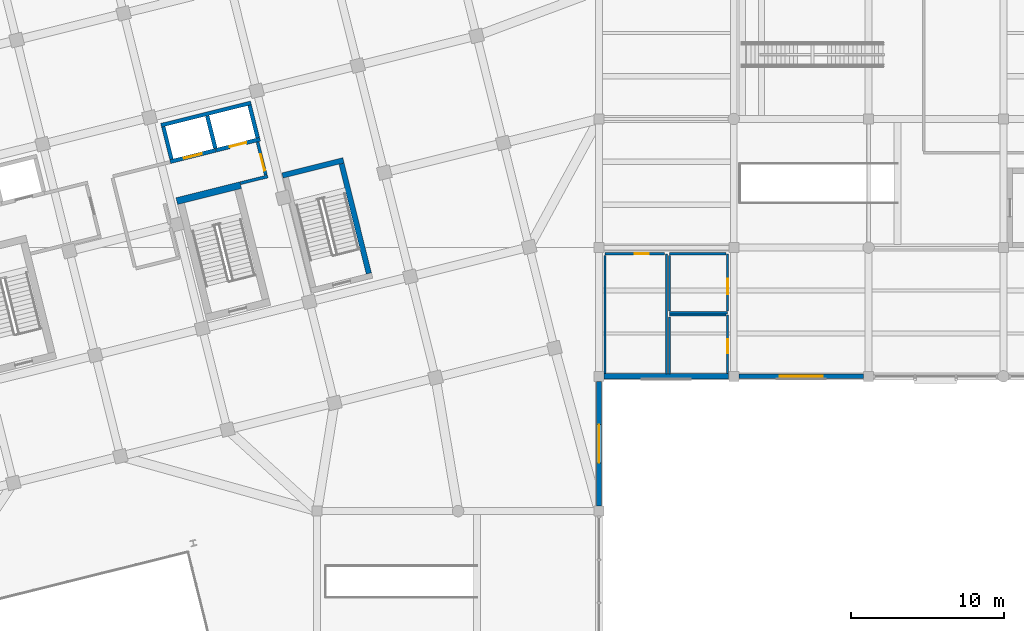
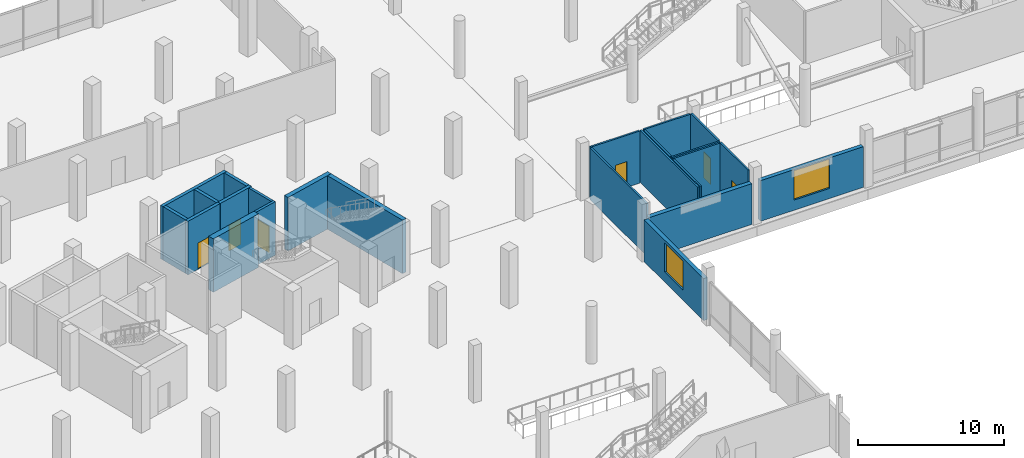
# One storey, part 59 of 71: 24 walls, 6 doors, 2 windows, 8 openings.
"""IFC4 building model written with IfcOpenShell, lengths in metres."""

from ifc_helpers import new_model, si_unit, direction, frame, frame_2d, origin, place, context, subcontext, project, spatial, rectangle, extrude, material, layer, layer_set, type_object, element, fill, save


model = new_model("IFC4")

# Units and contexts
model_context = context("Model", 3, precision=1e-05, world=origin(), true_north=direction((0.0, 1.0)))
body_context = subcontext(model_context, "Body", "Model", "MODEL_VIEW")
ifc_project = project(units=[si_unit("LENGTHUNIT", "METRE"), si_unit("AREAUNIT", "SQUARE_METRE"), si_unit("VOLUMEUNIT", "CUBIC_METRE"), si_unit("PLANEANGLEUNIT", "RADIAN"), si_unit("MASSUNIT", "GRAM", prefix="KILO")], contexts=[model_context])

# Site, building, storey
site_placement = place(None, origin())
site = spatial("IfcSite", under=ifc_project, at=site_placement, CompositionType="ELEMENT")
building_placement = place(site_placement, origin())
building = spatial("IfcBuilding", under=site, at=building_placement, Name="Meriwether Solvik Hall", CompositionType="ELEMENT")
storey_placement = place(building_placement, frame((0.0, 0.0, 5.10009765625)))
storey = spatial("IfcBuildingStorey", under=building, at=storey_placement, Name="L01", CompositionType="ELEMENT", Elevation=5.10009765625)

# Wall, opening, window
ifc_material_1 = material(Name="Concrete C40/50 Precast", Category="concrete")
ifc_layer_1 = layer(ifc_material_1, 0.31494140625)
ifc_layer_set_1 = layer_set([ifc_layer_1], Name="Concrete C40/50 Precast")
wall_type_1 = type_object("IfcWallType", Name="WALL-EXT-315", PredefinedType="SOLIDWALL", material=ifc_layer_set_1)
wall_1_placement = place(storey_placement, frame((131.462890625, 50.0, 0.0), z_axis=(0.0, 0.0, 1.0), x_axis=(-1.0, 0.0, 0.0)))
wall_1 = element("IfcWall", 1, at=wall_1_placement, inside=storey, type_object=wall_type_1, Name="L01 S Wing Facade Wall XF_14_13", PredefinedType="SOLIDWALL", context=body_context, shape_type="SweptSolid", body=[
    extrude(rectangle(XDim=8.1259765625, YDim=0.31494140625, at=frame_2d((4.06298828125, 0.0))), origin(), (0.0, 0.0, 1.0), 3.39990234375),
])
opening_1_placement = place(wall_1_placement, frame((2.6630859375, 0.0, 0.85009765625)))
opening_1 = element("IfcOpeningElement", 2, at=opening_1_placement, cuts=wall_1, Name="Opening WN-165", PredefinedType="OPENING", context=body_context, shape_type="SweptSolid", body=[
    extrude(rectangle(XDim=2.800048828125, YDim=2.449951171875, at=frame_2d((1.39990234375, 1.22509765625))), frame((0.0, 0.16943359375, 0.0), z_axis=(0.0, -1.0, 0.0), x_axis=(1.0, 0.0, 0.0)), (0.0, 0.0, 1.0), 0.3388671875),
])
ifc_material_2 = material(Name="Thermally Broken Anodised Aluminium and Triple Low-E Glass", Category="aluminium")
window_type_1 = type_object("IfcWindowType", Name="WIN-POD-SOUTH-280X245", PartitioningType="SINGLE_PANEL", PredefinedType="WINDOW", material=ifc_material_2)
window_1_placement = place(opening_1_placement, origin())
window_1 = element("IfcWindow", 3, at=window_1_placement, inside=storey, type_object=window_type_1, Name="L01 S Window XF_14_13", OverallHeight=2.449951171875, OverallWidth=2.800048828125, PartitioningType="SINGLE_PANEL", PredefinedType="WINDOW", context=body_context, shape_type="SweptSolid", body=[
    extrude(rectangle(XDim=2.800048828125, YDim=2.449951171875, at=frame_2d((1.39990234375, 1.22509765625))), frame((0.0, 0.030029296875, 0.0), z_axis=(0.0, -1.0, 0.0), x_axis=(1.0, 0.0, 0.0)), (0.0, 0.0, 1.0), 0.06005859375),
])
fill(opening_1, window_1)

wall_2_placement = place(storey_placement, frame((114.199951171875, 49.6630859375, 0.0), z_axis=(0.0, 0.0, 1.0), x_axis=(0.0, -1.0, 0.0)))
wall_2 = element("IfcWall", 4, at=wall_2_placement, inside=storey, type_object=wall_type_1, Name="L01 E Wing Facade Wall Y13_5_53", PredefinedType="SOLIDWALL", context=body_context, shape_type="SweptSolid", body=[
    extrude(rectangle(XDim=8.1259765625, YDim=0.31494140625, at=frame_2d((4.06298828125, 0.0))), origin(), (0.0, 0.0, 1.0), 3.5),
])
opening_2_placement = place(wall_2_placement, frame((2.81298828125, 0.0, 0.85009765625)))
opening_2 = element("IfcOpeningElement", 5, at=opening_2_placement, cuts=wall_2, Name="Opening WN-144", PredefinedType="OPENING", context=body_context, shape_type="SweptSolid", body=[
    extrude(rectangle(XDim=2.5, YDim=2.39990234375, at=frame_2d((1.25, 1.199951171875))), frame((0.0, 0.16943359375, 0.0), z_axis=(0.0, -1.0, 0.0), x_axis=(1.0, 0.0, 0.0)), (0.0, 0.0, 1.0), 0.3388671875),
])
ifc_material_3 = material(Name="Thermally Broken Anodised Aluminium and Triple Low-E Glass", Category="aluminium")
window_type_2 = type_object("IfcWindowType", Name="WIN-POD-EAST-250X240", PartitioningType="SINGLE_PANEL", PredefinedType="WINDOW", material=ifc_material_3)
window_2_placement = place(opening_2_placement, origin())
window_2 = element("IfcWindow", 6, at=window_2_placement, inside=storey, type_object=window_type_2, Name="L01 E Window Y13_5_53", OverallHeight=2.39990234375, OverallWidth=2.5, PartitioningType="SINGLE_PANEL", PredefinedType="WINDOW", context=body_context, shape_type="SweptSolid", body=[
    extrude(rectangle(XDim=2.5, YDim=2.39990234375, at=frame_2d((1.25, 1.199951171875))), frame((0.0, 0.030029296875, 0.0), z_axis=(0.0, -1.0, 0.0), x_axis=(1.0, 0.0, 0.0)), (0.0, 0.0, 1.0), 0.06005859375),
])
fill(opening_2, window_2)

# Walls
ifc_material_4 = material(Name="Concrete C40/50 Precast", Category="concrete")
ifc_layer_2 = layer(ifc_material_4, 0.340087890625)
ifc_layer_set_2 = layer_set([ifc_layer_2], Name="Concrete C40/50 Precast")
wall_type_2 = type_object("IfcWallType", Name="WALL-EXT-340", PredefinedType="SOLIDWALL", material=ifc_layer_set_2)
wall_3_placement = place(storey_placement, frame((122.6630859375, 50.0, 0.0), z_axis=(0.0, 0.0, 1.0), x_axis=(-1.0, 0.0, 0.0)))
element("IfcWall", 7, at=wall_3_placement, inside=storey, type_object=wall_type_2, Name="L01 S Wing Facade Wall XF_13_12", PredefinedType="SOLIDWALL", context=body_context, shape_type="SweptSolid", body=[
    extrude(rectangle(XDim=8.1259765625, YDim=0.340087890625, at=frame_2d((4.06298828125, 0.0))), origin(), (0.0, 0.0, 1.0), 3.39990234375),
])
ifc_material_5 = material(Name="Fire-Rated Type X Gypsum Board", Category="gypsum")
ifc_layer_3 = layer(ifc_material_5, 0.199951171875)
ifc_layer_set_3 = layer_set([ifc_layer_3], Name="Fire-Rated Type X Gypsum Board")
wall_type_3 = type_object("IfcWallType", Name="WALL-FIRE-200", PredefinedType="STANDARD", material=ifc_layer_set_3)
wall_4_placement = place(storey_placement, frame((90.791015625, 62.604248046875, 0.0), z_axis=(0.0, 0.0, 1.0), x_axis=(0.970306180373, 0.241879962645, 0.0)))
element("IfcWall", 8, at=wall_4_placement, inside=storey, type_object=wall_type_3, Name="L01 Interior Partition lb2_s", PredefinedType="STANDARD", context=body_context, shape_type="SweptSolid", body=[
    extrude(rectangle(XDim=1.840087890625, YDim=0.199951171875, at=frame_2d((0.919921875, 0.0))), origin(), (0.0, 0.0, 1.0), 4.469970703125),
])

# Wall, opening, door
wall_5_placement = place(storey_placement, frame((91.913330078125, 65.295654296875, 0.0), z_axis=(0.0, 0.0, 1.0), x_axis=(0.241836892041, -0.970316916089, 0.0)))
wall_5 = element("IfcWall", 9, at=wall_5_placement, inside=storey, type_object=wall_type_3, Name="L01 Interior Partition lb2_e", PredefinedType="STANDARD", context=body_context, shape_type="SweptSolid", body=[
    extrude(rectangle(XDim=2.219970703125, YDim=0.199951171875, at=frame_2d((1.10986328125, 0.0))), origin(), (0.0, 0.0, 1.0), 4.469970703125),
])
opening_3_placement = place(wall_5_placement, frame((0.820068359375, 0.0, 0.0)))
opening_3 = element("IfcOpeningElement", 10, at=opening_3_placement, cuts=wall_5, Name="Opening D-168", PredefinedType="OPENING", context=body_context, shape_type="SweptSolid", body=[
    extrude(rectangle(XDim=1.10009765625, YDim=2.199951171875, at=frame_2d((0.550048828125, 1.10009765625))), frame((0.0, 0.11181640625, 0.0), z_axis=(0.0, -1.0, 0.0), x_axis=(1.0, 0.0, 0.0)), (0.0, 0.0, 1.0), 0.223876953125),
])
ifc_material_6 = material(Name="Steel A36 Galvanised", Category="steel")
door_type_1 = type_object("IfcDoorType", Name="DR-FD60-1100L", OperationType="SINGLE_SWING_LEFT", PredefinedType="DOOR", material=ifc_material_6)
door_1_placement = place(opening_3_placement, origin())
door_1 = element("IfcDoor", 11, at=door_1_placement, inside=storey, type_object=door_type_1, Name="East FSAE Lift Lobby Door (L01)", OperationType="SINGLE_SWING_LEFT", OverallHeight=2.199951171875, OverallWidth=1.10009765625, PredefinedType="DOOR", context=body_context, shape_type="SweptSolid", body=[
    extrude(rectangle(XDim=1.10009765625, YDim=2.199951171875, at=frame_2d((0.550048828125, 1.10009765625))), frame((0.0, 0.02490234375, 0.0), z_axis=(0.0, -1.0, 0.0), x_axis=(1.0, 0.0, 0.0)), (0.0, 0.0, 1.0), 0.050048828125),
])
fill(opening_3, door_1)

# Walls
ifc_material_7 = material(Name="Concrete C40/50", Category="concrete")
ifc_layer_4 = layer(ifc_material_7, 0.25)
ifc_layer_set_4 = layer_set([ifc_layer_4], Name="Concrete C40/50")
wall_type_4 = type_object("IfcWallType", Name="WALL-HOIST-250", PredefinedType="SHEAR", material=ifc_layer_set_4)
wall_6_placement = place(storey_placement, frame((91.48193359375, 67.852294921875, 0.0), z_axis=(0.0, 0.0, 1.0), x_axis=(-0.970296596103, -0.241918406889, 0.0)))
element("IfcWall", 12, at=wall_6_placement, inside=storey, type_object=wall_type_4, Name="Hoistway BANK2 North Wall (L01)", PredefinedType="SHEAR", context=body_context, shape_type="SweptSolid", body=[
    extrude(rectangle(XDim=6.050048828125, YDim=0.25, at=frame_2d((3.02490234375, 0.0))), origin(), (0.0, 0.0, 1.0), 4.469970703125),
])
for number, where, z_axis, x_axis, name in (
    (13, (85.765625, 66.287841796875, 0.0), (0.0, 0.0, 1.0), (0.241903146974, -0.970300400641, 0.0), "Hoistway BANK2 West Wall (L01)"),
    (14, (91.920654296875, 65.575927734375, 0.0), (0.0, 0.0, 1.0), (-0.241903146974, 0.970300400641, 0.0), "Hoistway BANK2 East Wall (L01)"),
    (15, (89.1552734375, 64.886474609375, 0.0), (0.0, 0.0, 1.0), (-0.241903146974, 0.970300400641, 0.0), "Hoistway BANK2 Divider Pier (L01)"),
):
    element("IfcWall", number, at=place(storey_placement, frame(where, z_axis=z_axis, x_axis=x_axis)), inside=storey, type_object=wall_type_4, Name=name, PredefinedType="SHEAR", context=body_context, shape_type="SweptSolid", body=[
        extrude(rectangle(XDim=2.179931640625, YDim=0.25, at=frame_2d((1.08984375, 0.0))), origin(), (0.0, 0.0, 1.0), 4.469970703125),
    ])

# Wall, opening, door
wall_7_placement = place(storey_placement, frame((86.204345703125, 64.011474609375, 0.0), z_axis=(0.0, 0.0, 1.0), x_axis=(0.970296930481, 0.241917065747, 0.0)))
wall_7 = element("IfcWall", 16, at=wall_7_placement, inside=storey, type_object=wall_type_4, Name="Lift LF-02 Landing Wall (L01)", PredefinedType="SHEAR", context=body_context, shape_type="SweptSolid", body=[
    extrude(rectangle(XDim=3.06494140625, YDim=0.25, at=frame_2d((1.532470703125, 0.0))), origin(), (0.0, 0.0, 1.0), 4.469970703125),
])
opening_4_placement = place(wall_7_placement, frame((0.9326171875, 0.0, 0.0)))
opening_4 = element("IfcOpeningElement", 17, at=opening_4_placement, cuts=wall_7, Name="Opening LD-02", PredefinedType="OPENING", context=body_context, shape_type="SweptSolid", body=[
    extrude(rectangle(XDim=1.199951171875, YDim=2.199951171875, at=frame_2d((0.60009765625, 1.10009765625))), frame((0.0, 0.136962890625, 0.0), z_axis=(0.0, -1.0, 0.0), x_axis=(1.0, 0.0, 0.0)), (0.0, 0.0, 1.0), 0.27392578125),
])
ifc_material_8 = material(Name="Stainless Steel AISI 316", Category="steel")
door_type_2 = type_object("IfcDoorType", Name="DR-LIFT-FSAE", OperationType="DOUBLE_DOOR_SLIDING", PredefinedType="DOOR", material=ifc_material_8)
door_2_placement = place(opening_4_placement, origin())
door_2 = element("IfcDoor", 18, at=door_2_placement, inside=storey, type_object=door_type_2, Name="Lift Landing Door LF-02 (L01)", OperationType="DOUBLE_DOOR_SLIDING", OverallHeight=2.199951171875, OverallWidth=1.199951171875, PredefinedType="DOOR", context=body_context, shape_type="SweptSolid", body=[
    extrude(rectangle(XDim=1.199951171875, YDim=2.199951171875, at=frame_2d((0.60009765625, 1.10009765625))), frame((0.0, 0.02490234375, 0.0), z_axis=(0.0, -1.0, 0.0), x_axis=(1.0, 0.0, 0.0)), (0.0, 0.0, 1.0), 0.050048828125),
])
fill(opening_4, door_2)

wall_8_placement = place(storey_placement, frame((89.19775390625, 64.7578125, 0.0), z_axis=(0.0, 0.0, 1.0), x_axis=(0.970297295425, 0.241915601999, 0.0)))
wall_8 = element("IfcWall", 19, at=wall_8_placement, inside=storey, type_object=wall_type_4, Name="Lift LP-02 Landing Wall (L01)", PredefinedType="SHEAR", context=body_context, shape_type="SweptSolid", body=[
    extrude(rectangle(XDim=2.965087890625, YDim=0.25, at=frame_2d((1.482421875, 0.0))), origin(), (0.0, 0.0, 1.0), 4.469970703125),
])
opening_5_placement = place(wall_8_placement, frame((0.9326171875, 0.0, 0.0)))
opening_5 = element("IfcOpeningElement", 20, at=opening_5_placement, cuts=wall_8, Name="Opening LD-04", PredefinedType="OPENING", context=body_context, shape_type="SweptSolid", body=[
    extrude(rectangle(XDim=1.10009765625, YDim=2.14990234375, at=frame_2d((0.550048828125, 1.074951171875))), frame((0.0, 0.136962890625, 0.0), z_axis=(0.0, -1.0, 0.0), x_axis=(1.0, 0.0, 0.0)), (0.0, 0.0, 1.0), 0.27392578125),
])
ifc_material_9 = material(Name="Stainless Steel AISI 316", Category="steel")
door_type_3 = type_object("IfcDoorType", Name="DR-LIFT-PASS", OperationType="DOUBLE_DOOR_SLIDING", PredefinedType="DOOR", material=ifc_material_9)
door_3_placement = place(opening_5_placement, origin())
door_3 = element("IfcDoor", 21, at=door_3_placement, inside=storey, type_object=door_type_3, Name="Lift Landing Door LP-02 (L01)", OperationType="DOUBLE_DOOR_SLIDING", OverallHeight=2.14990234375, OverallWidth=1.10009765625, PredefinedType="DOOR", context=body_context, shape_type="SweptSolid", body=[
    extrude(rectangle(XDim=1.10009765625, YDim=2.14990234375, at=frame_2d((0.550048828125, 1.074951171875))), frame((0.0, 0.02490234375, 0.0), z_axis=(0.0, -1.0, 0.0), x_axis=(1.0, 0.0, 0.0)), (0.0, 0.0, 1.0), 0.050048828125),
])
fill(opening_5, door_3)

# Walls
ifc_material_10 = material(Name="Concrete C40/50", Category="concrete")
ifc_layer_5 = layer(ifc_material_10, 0.35009765625)
ifc_layer_set_5 = layer_set([ifc_layer_5], Name="Concrete C40/50")
wall_type_5 = type_object("IfcWallType", Name="WALL-RC-350", PredefinedType="SHEAR", material=ifc_layer_set_5)
wall_9_placement = place(storey_placement, frame((97.5185546875, 64.101318359375, 0.0), z_axis=(0.0, 0.0, 1.0), x_axis=(-0.970289442421, -0.241947097371, 0.0)))
element("IfcWall", 22, at=wall_9_placement, inside=storey, type_object=wall_type_5, Name="CORE-3 Shear Wall N (L01)", PredefinedType="SHEAR", context=body_context, shape_type="SweptSolid", body=[
    extrude(rectangle(XDim=4.099853515625, YDim=0.35009765625, at=frame_2d((2.0498046875, 0.0))), origin(), (0.0, 0.0, 1.0), 4.469970703125),
])
wall_10_placement = place(storey_placement, frame((99.178955078125, 56.71875, 0.0), z_axis=(0.0, 0.0, 1.0), x_axis=(-0.241928426141, 0.970294098006, 0.0)))
element("IfcWall", 23, at=wall_10_placement, inside=storey, type_object=wall_type_5, Name="CORE-3 Shear Wall E (L01)", PredefinedType="SHEAR", context=body_context, shape_type="SweptSolid", body=[
    extrude(rectangle(XDim=7.3798828125, YDim=0.35009765625, at=frame_2d((3.68994140625, 0.0))), origin(), (0.0, 0.0, 1.0), 4.469970703125),
])
ifc_material_11 = material(Name="Concrete C45/55", Category="concrete")
ifc_layer_6 = layer(ifc_material_11, 0.449951171875)
ifc_layer_set_6 = layer_set([ifc_layer_6], Name="Concrete C45/55")
wall_type_6 = type_object("IfcWallType", Name="WALL-RC-450", PredefinedType="SHEAR", material=ifc_layer_set_6)
wall_11_placement = place(storey_placement, frame((90.8115234375, 62.48046875, 0.0), z_axis=(0.0, 0.0, 1.0), x_axis=(-0.970309259708, -0.2418676095, 0.0)))
element("IfcWall", 24, at=wall_11_placement, inside=storey, type_object=wall_type_6, Name="CORE-2 Shear Wall N (L01)", PredefinedType="SHEAR", context=body_context, shape_type="SweptSolid", body=[
    extrude(rectangle(XDim=4.300048828125, YDim=0.449951171875, at=frame_2d((2.14990234375, 0.0))), origin(), (0.0, 0.0, 1.0), 4.469970703125),
])
ifc_material_12 = material(Name="Moisture-Resistant Gypsum Board", Category="gypsum")
ifc_layer_7 = layer(ifc_material_12, 0.139892578125)
ifc_layer_set_7 = layer_set([ifc_layer_7], Name="Moisture-Resistant Gypsum Board")
wall_type_7 = type_object("IfcWallType", Name="WALL-WET-140", PredefinedType="PLUMBINGWALL", material=ifc_layer_set_7)
wall_12_placement = place(storey_placement, frame((118.60009765625, 50.14990234375, 0.0), z_axis=(0.0, 0.0, 1.0), x_axis=(0.0, 1.0, 0.0)))
element("IfcWall", 25, at=wall_12_placement, inside=storey, type_object=wall_type_7, Name="L01 Interior Partition wc_m_l01_e", PredefinedType="PLUMBINGWALL", context=body_context, shape_type="SweptSolid", body=[
    extrude(rectangle(XDim=7.85009765625, YDim=0.139892578125, at=frame_2d((3.925048828125, 0.0))), origin(), (0.0, 0.0, 1.0), 4.349853515625),
])

# Wall, opening, door
wall_13_placement = place(storey_placement, frame((118.47998046875, 58.0, 0.0), z_axis=(0.0, 0.0, 1.0), x_axis=(-1.0, 0.0, 0.0)))
wall_13 = element("IfcWall", 26, at=wall_13_placement, inside=storey, type_object=wall_type_7, Name="L01 Interior Partition wc_m_l01_n", PredefinedType="PLUMBINGWALL", context=body_context, shape_type="SweptSolid", body=[
    extrude(rectangle(XDim=3.8798828125, YDim=0.139892578125, at=frame_2d((1.93994140625, 0.0))), origin(), (0.0, 0.0, 1.0), 4.349853515625),
])
opening_6_placement = place(wall_13_placement, frame((1.030029296875, 0.0, 0.0)))
opening_6 = element("IfcOpeningElement", 27, at=opening_6_placement, cuts=wall_13, Name="Opening D-174", PredefinedType="OPENING", context=body_context, shape_type="SweptSolid", body=[
    extrude(rectangle(XDim=0.89990234375, YDim=2.14990234375, at=frame_2d((0.449951171875, 1.074951171875))), frame((0.0, 0.08203125, 0.0), z_axis=(0.0, -1.0, 0.0), x_axis=(1.0, 0.0, 0.0)), (0.0, 0.0, 1.0), 0.163818359375),
])
ifc_material_13 = material(Name="Solid-Core Rift White Oak Timber", Category="wood")
door_type_4 = type_object("IfcDoorType", Name="DR-WC-900L", OperationType="SINGLE_SWING_LEFT", PredefinedType="DOOR", material=ifc_material_13)
door_4_placement = place(opening_6_placement, origin())
door_4 = element("IfcDoor", 28, at=door_4_placement, inside=storey, type_object=door_type_4, Name="L01 Male Restrooms Door", OperationType="SINGLE_SWING_LEFT", OverallHeight=2.14990234375, OverallWidth=0.89990234375, PredefinedType="DOOR", context=body_context, shape_type="SweptSolid", body=[
    extrude(rectangle(XDim=0.89990234375, YDim=2.14990234375, at=frame_2d((0.449951171875, 1.074951171875))), frame((0.0, 0.02490234375, 0.0), z_axis=(0.0, -1.0, 0.0), x_axis=(1.0, 0.0, 0.0)), (0.0, 0.0, 1.0), 0.050048828125),
])
fill(opening_6, door_4)

# Wall
wall_14_placement = place(storey_placement, frame((114.60009765625, 57.8798828125, 0.0), z_axis=(0.0, 0.0, 1.0), x_axis=(0.0, -1.0, 0.0)))
element("IfcWall", 29, at=wall_14_placement, inside=storey, type_object=wall_type_7, Name="L01 Interior Partition wc_m_l01_w", PredefinedType="PLUMBINGWALL", context=body_context, shape_type="SweptSolid", body=[
    extrude(rectangle(XDim=7.69921875, YDim=0.139892578125, at=frame_2d((3.849609375, 0.0))), origin(), (0.0, 0.0, 1.0), 4.349853515625),
])

# Wall, opening, door
wall_15_placement = place(storey_placement, frame((122.60009765625, 50.1806640625, 0.0), z_axis=(0.0, 0.0, 1.0), x_axis=(0.0, 1.0, 0.0)))
wall_15 = element("IfcWall", 30, at=wall_15_placement, inside=storey, type_object=wall_type_7, Name="L01 Interior Partition wc_f_l01_e", PredefinedType="PLUMBINGWALL", context=body_context, shape_type="SweptSolid", body=[
    extrude(rectangle(XDim=3.8193359375, YDim=0.139892578125, at=frame_2d((1.90966796875, 0.0))), origin(), (0.0, 0.0, 1.0), 4.349853515625),
])
opening_7_placement = place(wall_15_placement, frame((1.341552734375, 0.0, 0.0)))
opening_7 = element("IfcOpeningElement", 31, at=opening_7_placement, cuts=wall_15, Name="Opening D-174", PredefinedType="OPENING", context=body_context, shape_type="SweptSolid", body=[
    extrude(rectangle(XDim=0.89990234375, YDim=2.14990234375, at=frame_2d((0.449951171875, 1.074951171875))), frame((0.0, 0.08203125, 0.0), z_axis=(0.0, -1.0, 0.0), x_axis=(1.0, 0.0, 0.0)), (0.0, 0.0, 1.0), 0.163818359375),
])
door_5_placement = place(opening_7_placement, origin())
door_5 = element("IfcDoor", 32, at=door_5_placement, inside=storey, type_object=door_type_4, Name="L01 Female Restrooms Door", OperationType="SINGLE_SWING_LEFT", OverallHeight=2.14990234375, OverallWidth=0.89990234375, PredefinedType="DOOR", context=body_context, shape_type="SweptSolid", body=[
    extrude(rectangle(XDim=0.89990234375, YDim=2.14990234375, at=frame_2d((0.449951171875, 1.074951171875))), frame((0.0, 0.02490234375, 0.0), z_axis=(0.0, -1.0, 0.0), x_axis=(1.0, 0.0, 0.0)), (0.0, 0.0, 1.0), 0.050048828125),
])
fill(opening_7, door_5)

# Walls
wall_16_placement = place(storey_placement, frame((122.47998046875, 54.0, 0.0), z_axis=(0.0, 0.0, 1.0), x_axis=(-1.0, 0.0, 0.0)))
element("IfcWall", 33, at=wall_16_placement, inside=storey, type_object=wall_type_7, Name="L01 Interior Partition wc_f_l01_n", PredefinedType="PLUMBINGWALL", context=body_context, shape_type="SweptSolid", body=[
    extrude(rectangle(XDim=3.679931640625, YDim=0.139892578125, at=frame_2d((1.83984375, 0.0))), origin(), (0.0, 0.0, 1.0), 4.349853515625),
])
wall_17_placement = place(storey_placement, frame((118.800048828125, 53.8798828125, 0.0), z_axis=(0.0, 0.0, 1.0), x_axis=(0.0, -1.0, 0.0)))
element("IfcWall", 34, at=wall_17_placement, inside=storey, type_object=wall_type_7, Name="L01 Interior Partition wc_f_l01_w", PredefinedType="PLUMBINGWALL", context=body_context, shape_type="SweptSolid", body=[
    extrude(rectangle(XDim=3.72998046875, YDim=0.139892578125, at=frame_2d((1.864990234375, 0.0))), origin(), (0.0, 0.0, 1.0), 4.349853515625),
])
wall_18_placement = place(storey_placement, frame((118.800048828125, 54.14990234375, 0.0), z_axis=(0.0, 0.0, 1.0), x_axis=(1.0, 0.0, 0.0)))
element("IfcWall", 35, at=wall_18_placement, inside=storey, type_object=wall_type_7, Name="L01 Interior Partition wc_a_l01_s", PredefinedType="PLUMBINGWALL", context=body_context, shape_type="SweptSolid", body=[
    extrude(rectangle(XDim=3.800048828125, YDim=0.139892578125, at=frame_2d((1.89990234375, 0.0))), origin(), (0.0, 0.0, 1.0), 4.349853515625),
])

# Wall, opening, door
wall_19_placement = place(storey_placement, frame((122.60009765625, 54.27001953125, 0.0), z_axis=(0.0, 0.0, 1.0), x_axis=(0.0, 1.0, 0.0)))
wall_19 = element("IfcWall", 36, at=wall_19_placement, inside=storey, type_object=wall_type_7, Name="L01 Interior Partition wc_a_l01_e", PredefinedType="PLUMBINGWALL", context=body_context, shape_type="SweptSolid", body=[
    extrude(rectangle(XDim=3.72998046875, YDim=0.139892578125, at=frame_2d((1.864990234375, 0.0))), origin(), (0.0, 0.0, 1.0), 4.349853515625),
])
opening_8_placement = place(wall_19_placement, frame((1.086181640625, 0.0, 0.0)))
opening_8 = element("IfcOpeningElement", 37, at=opening_8_placement, cuts=wall_19, Name="Opening D-140", PredefinedType="OPENING", context=body_context, shape_type="SweptSolid", body=[
    extrude(rectangle(XDim=1.0, YDim=2.14990234375, at=frame_2d((0.5, 1.074951171875))), frame((0.0, 0.08203125, 0.0), z_axis=(0.0, -1.0, 0.0), x_axis=(1.0, 0.0, 0.0)), (0.0, 0.0, 1.0), 0.163818359375),
])
ifc_material_14 = material(Name="Solid-Core Rift White Oak Timber", Category="wood")
door_type_5 = type_object("IfcDoorType", Name="DR-ACC-1000L", OperationType="SINGLE_SWING_LEFT", PredefinedType="DOOR", material=ifc_material_14)
door_6_placement = place(opening_8_placement, origin())
door_6 = element("IfcDoor", 38, at=door_6_placement, inside=storey, type_object=door_type_5, Name="L01 Accessible WC Door", OperationType="SINGLE_SWING_LEFT", OverallHeight=2.14990234375, OverallWidth=1.0, PredefinedType="DOOR", context=body_context, shape_type="SweptSolid", body=[
    extrude(rectangle(XDim=1.0, YDim=2.14990234375, at=frame_2d((0.5, 1.074951171875))), frame((0.0, 0.02490234375, 0.0), z_axis=(0.0, -1.0, 0.0), x_axis=(1.0, 0.0, 0.0)), (0.0, 0.0, 1.0), 0.050048828125),
])
fill(opening_8, door_6)

# Walls
wall_20_placement = place(storey_placement, frame((122.47998046875, 58.0, 0.0), z_axis=(0.0, 0.0, 1.0), x_axis=(-1.0, 0.0, 0.0)))
element("IfcWall", 39, at=wall_20_placement, inside=storey, type_object=wall_type_7, Name="L01 Interior Partition wc_a_l01_n", PredefinedType="PLUMBINGWALL", context=body_context, shape_type="SweptSolid", body=[
    extrude(rectangle(XDim=3.679931640625, YDim=0.139892578125, at=frame_2d((1.83984375, 0.0))), origin(), (0.0, 0.0, 1.0), 4.349853515625),
])
wall_21_placement = place(storey_placement, frame((118.800048828125, 57.8798828125, 0.0), z_axis=(0.0, 0.0, 1.0), x_axis=(0.0, -1.0, 0.0)))
element("IfcWall", 40, at=wall_21_placement, inside=storey, type_object=wall_type_7, Name="L01 Interior Partition wc_a_l01_w", PredefinedType="PLUMBINGWALL", context=body_context, shape_type="SweptSolid", body=[
    extrude(rectangle(XDim=3.60986328125, YDim=0.139892578125, at=frame_2d((1.804931640625, 0.0))), origin(), (0.0, 0.0, 1.0), 4.349853515625),
])

save(model, "model.ifc")
